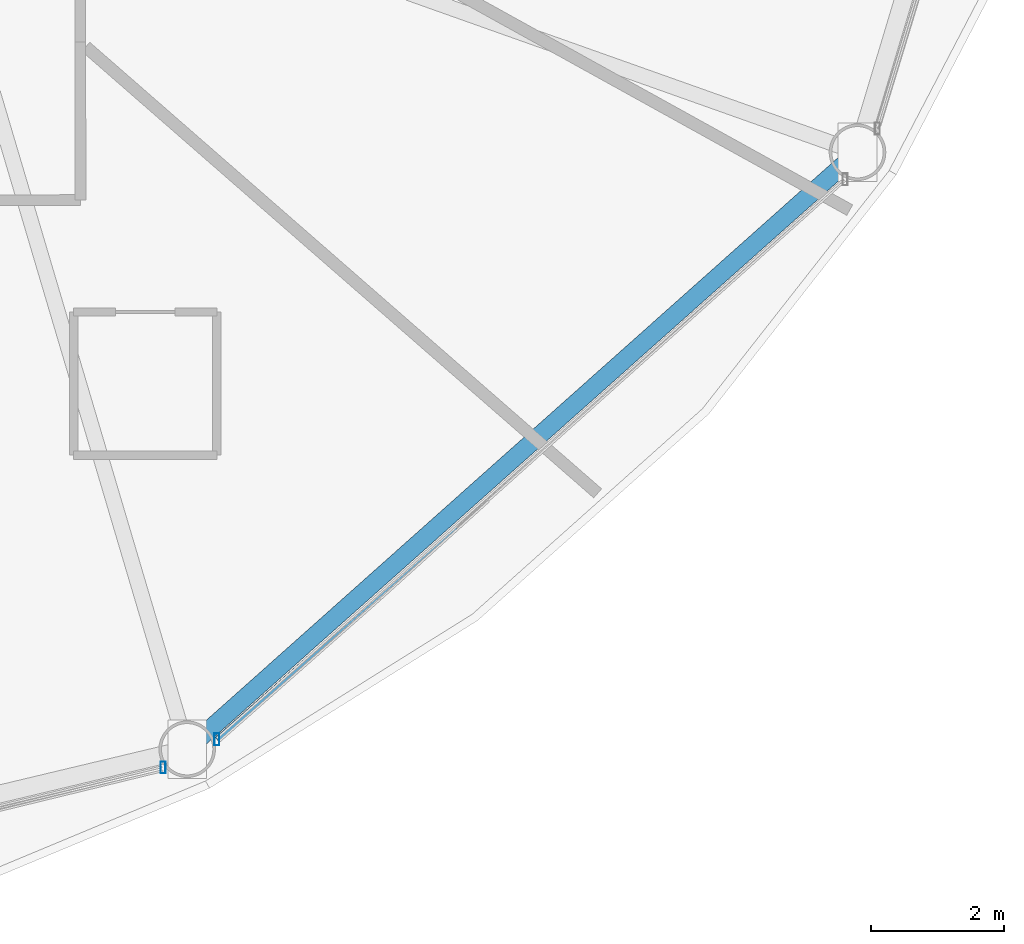
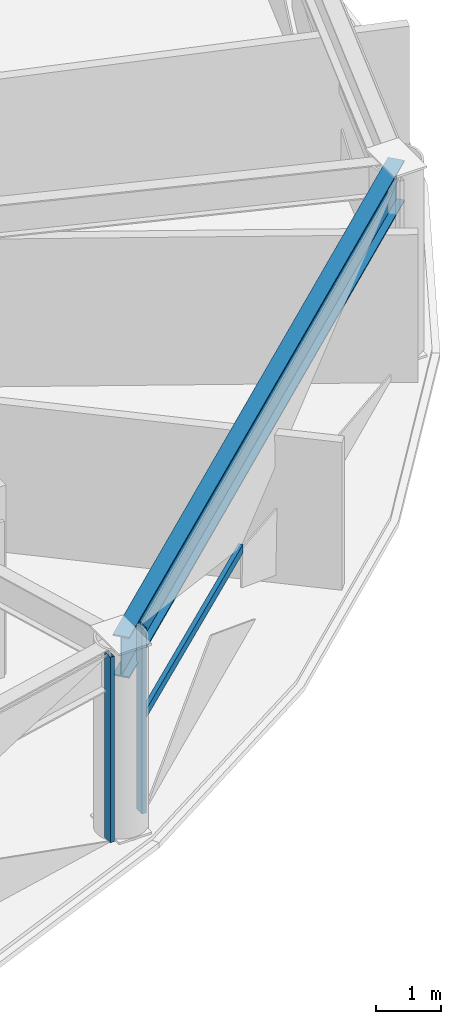
# One storey, part 8 of 30: 3 members, 1 beam, 2 elements without a shape of their own.
"""IFC4 building model written with IfcOpenShell, lengths in metres."""

import ifcopenshell
import ifcopenshell.guid

model = None  # the IFC model being written
_history = None  # IfcOwnerHistory: only IFC2X3 demands one
_inside = {}  # id of a spatial element -> (the spatial element, [elements in it])
_under = {}  # id of a project, library or spatial element -> (it, [spatial elements below it])
_declared = {}  # id of a project -> (the project, [libraries it declares])
_typed = {}  # id of a type object -> (the type object, [elements of that type])
_made_of = {}  # id of a material, layer set ... -> (it, [elements and type objects made of it])


def new_model(schema):
    """Start an empty IFC model of exactly this schema.

    Asked for "IFC4X3", IfcOpenShell would pick the latest addendum, in which some entities
    have other attributes; the version numbers below select the first issue.
    IFC2X3 requires an IfcOwnerHistory on every rooted entity: one is made here for all.
    """
    global model, _history
    if schema == "IFC4X3":
        model = ifcopenshell.file(schema_version=(4, 3, 0, 0))
    else:
        model = ifcopenshell.file(schema=schema)
    _inside.clear()
    _under.clear()
    _declared.clear()
    _typed.clear()
    _made_of.clear()
    _history = None
    if model.schema == "IFC2X3":
        org = make("IfcOrganization", Name="unknown")
        user = make(
            "IfcPersonAndOrganization",
            ThePerson=make("IfcPerson", FamilyName="unknown"),
            TheOrganization=org,
        )
        app = make(
            "IfcApplication",
            ApplicationDeveloper=org,
            Version="unknown",
            ApplicationFullName="unknown",
            ApplicationIdentifier="unknown",
        )
        _history = make(
            "IfcOwnerHistory",
            OwningUser=user,
            OwningApplication=app,
            ChangeAction="ADDED",
            CreationDate=0,
        )
    return model


def make(cls, **values):
    """One entity of the class cls with the attributes given. An attribute that is None is left unset."""
    return model.create_entity(
        cls, **{name: value for name, value in values.items() if value is not None}
    )


def rooted(cls, **values):
    """An entity with a GlobalId (a new one), such as an element, a storey or a relation."""
    return make(cls, GlobalId=ifcopenshell.guid.new(), OwnerHistory=_history, **values)


def si_unit(unit_type, name, prefix=None):
    """IfcSIUnit, for example si_unit("LENGTHUNIT", "METRE", prefix="MILLI")."""
    return make("IfcSIUnit", UnitType=unit_type, Prefix=prefix, Name=name)


def assignment(units):
    """IfcUnitAssignment: the units of a project."""
    return None if units is None else make("IfcUnitAssignment", Units=units)


def point(xyz):
    """IfcCartesianPoint."""
    return None if xyz is None else make("IfcCartesianPoint", Coordinates=xyz)


def direction(xyz):
    """IfcDirection."""
    return None if xyz is None else make("IfcDirection", DirectionRatios=xyz)


def frame(location, z_axis=None, x_axis=None):
    """IfcAxis2Placement3D, a coordinate frame: its origin and axes. An axis left out is left unset."""
    return make(
        "IfcAxis2Placement3D",
        Location=point(location),
        Axis=direction(z_axis),
        RefDirection=direction(x_axis),
    )


def frame_2d(location, x_axis=None):
    """IfcAxis2Placement2D, a coordinate frame in the plane: its origin and x axis."""
    return make(
        "IfcAxis2Placement2D", Location=point(location), RefDirection=direction(x_axis)
    )


def origin():
    """The frame at (0, 0, 0) with its axes left unset."""
    return frame((0.0, 0.0, 0.0))


def origin_2d():
    """The frame at (0, 0) in the plane with its x axis left unset."""
    return frame_2d((0.0, 0.0))


def place(relative_to, where):
    """IfcLocalPlacement: puts the frame where relative to a parent placement (None: the world)."""
    return make(
        "IfcLocalPlacement", PlacementRelTo=relative_to, RelativePlacement=where
    )


def context(
    kind, dimensions, precision=None, world=None, true_north=None, identifier=None
):
    """IfcGeometricRepresentationContext, for example the 3D "Model" context."""
    return make(
        "IfcGeometricRepresentationContext",
        ContextIdentifier=identifier,
        ContextType=kind,
        CoordinateSpaceDimension=dimensions,
        Precision=precision,
        WorldCoordinateSystem=world,
        TrueNorth=true_north,
    )


def subcontext(parent, identifier, kind, view, scale=None):
    """IfcGeometricRepresentationSubContext, for example "Body" below "Model"."""
    return make(
        "IfcGeometricRepresentationSubContext",
        ContextIdentifier=identifier,
        ContextType=kind,
        ParentContext=parent,
        TargetScale=scale,
        TargetView=view,
    )


def project(units=None, contexts=None):
    """IfcProject with its units and contexts."""
    return rooted(
        "IfcProject",
        Name="project",
        RepresentationContexts=contexts,
        UnitsInContext=assignment(units),
    )


def spatial(cls, under=None, at=None, **own):
    """A site, building, storey or space (cls), placed at a placement, below another one or the project."""
    s = rooted(cls, ObjectPlacement=at, **own)
    if under is not None:
        _under.setdefault(under.id(), (under, []))[1].append(s)
    return s


def profile(cls, at=None, kind="AREA", **sizes):
    """A parametric profile (cls). Its sizes go by their IFC names, for example OverallWidth=200.0."""
    return make(cls, ProfileType=kind, Position=at, **sizes)


def hollow_rectangle(**sizes):
    """IfcRectangleHollowProfileDef."""
    return profile("IfcRectangleHollowProfileDef", **sizes)


def i_section(**sizes):
    """IfcIShapeProfileDef."""
    return profile("IfcIShapeProfileDef", **sizes)


def extrude(swept, where, along, depth):
    """IfcExtrudedAreaSolid: the profile swept, set in the frame where, extruded along a direction by depth."""
    return make(
        "IfcExtrudedAreaSolid",
        SweptArea=swept,
        Position=where,
        ExtrudedDirection=direction(along),
        Depth=depth,
    )


def shape(context_of_items, identifier, shape_type, items):
    """IfcShapeRepresentation: the items that make up one representation, for example the "Body"."""
    return make(
        "IfcShapeRepresentation",
        ContextOfItems=context_of_items,
        RepresentationIdentifier=identifier,
        RepresentationType=shape_type,
        Items=items,
    )


def material(Name=None, Category=None):
    """IfcMaterial."""
    return make("IfcMaterial", Name=Name, Category=Category)


def layer(
    of_material, thickness, ventilated=None, Name=None, Category=None, Priority=None
):
    """IfcMaterialLayer: one layer of a wall or slab, of a material (None: an air gap)."""
    return make(
        "IfcMaterialLayer",
        Material=of_material,
        LayerThickness=thickness,
        IsVentilated=ventilated,
        Name=Name,
        Category=Category,
        Priority=Priority,
    )


def layer_set(layers, Name=None):
    """IfcMaterialLayerSet."""
    return make("IfcMaterialLayerSet", MaterialLayers=layers, LayerSetName=Name)


def material_profile(
    of_material, cross_section, Name=None, Category=None, Priority=None
):
    """IfcMaterialProfile: a cross section and its material."""
    return make(
        "IfcMaterialProfile",
        Name=Name,
        Material=of_material,
        Profile=cross_section,
        Priority=Priority,
        Category=Category,
    )


def profile_set(profiles, Name=None, composite=None):
    """IfcMaterialProfileSet."""
    return make(
        "IfcMaterialProfileSet",
        Name=Name,
        MaterialProfiles=profiles,
        CompositeProfile=composite,
    )


def made_of(thing, what):
    """Note that an element or type object is made of a material, layer set ...; save() writes the relation."""
    if what is not None:
        _made_of.setdefault(what.id(), (what, []))[1].append(thing)
    return thing


def type_object(cls, material=None, **own):
    """A type object (cls), such as IfcWallType, which elements share."""
    return made_of(rooted(cls, **own), material)


def element(
    cls,
    number,
    at=None,
    inside=None,
    cuts=None,
    type_object=None,
    material=None,
    context=None,
    identifier="Body",
    shape_type=None,
    held_by="IfcProductDefinitionShape",
    body=None,
    shapes=None,
    **own,
):
    """One element of the class cls, such as IfcWall. Its Tag is "e" and its number.

    at: its placement. inside: the storey or other place that contains it. cuts: it is an
    opening in that element (IfcRelVoidsElement). A single representation is given by context,
    identifier, shape_type and body (its items); several are given by shapes. held_by: the class
    of the entity that holds the representations. save() writes the other relations.
    """
    e = rooted(cls, Tag="e%d" % number, ObjectPlacement=at, **own)
    if body is not None:
        shapes = [shape(context, identifier, shape_type, body)]
    if shapes is not None:
        e.Representation = make(held_by, Representations=shapes)
    if inside is not None:
        _inside.setdefault(inside.id(), (inside, []))[1].append(e)
    if cuts is not None:
        rooted(
            "IfcRelVoidsElement", RelatingBuildingElement=cuts, RelatedOpeningElement=e
        )
    if type_object is not None:
        _typed.setdefault(type_object.id(), (type_object, []))[1].append(e)
    return made_of(e, material)


def aggregate(whole, parts):
    """IfcRelAggregates: a whole, such as a stair, and the parts it consists of."""
    return rooted("IfcRelAggregates", RelatingObject=whole, RelatedObjects=parts)


def save(model, path):
    """Write the relations noted so far, then the file.

    IfcRelAggregates (storeys below a building ...), IfcRelContainedInSpatialStructure (elements
    in a storey), IfcRelDefinesByType, IfcRelAssociatesMaterial and IfcRelDeclares: one each for
    every whole, place, type object, material and project.
    """
    for whole, parts in _under.values():
        aggregate(whole, parts)
    for where, things in _inside.values():
        rooted(
            "IfcRelContainedInSpatialStructure",
            RelatedElements=things,
            RelatingStructure=where,
        )
    for kind, things in _typed.values():
        rooted("IfcRelDefinesByType", RelatedObjects=things, RelatingType=kind)
    for what, things in _made_of.values():
        rooted("IfcRelAssociatesMaterial", RelatedObjects=things, RelatingMaterial=what)
    for by, libraries in _declared.values():
        rooted("IfcRelDeclares", RelatingContext=by, RelatedDefinitions=libraries)
    model.write(path)


model = new_model("IFC4")

# Units and contexts
model_context = context("Model", 3, precision=1e-05, world=origin(), true_north=direction((0.0, 1.0)))
body_context = subcontext(model_context, "Body", "Model", "MODEL_VIEW")
ifc_project = project(units=[si_unit("LENGTHUNIT", "METRE"), si_unit("AREAUNIT", "SQUARE_METRE"), si_unit("VOLUMEUNIT", "CUBIC_METRE"), si_unit("PLANEANGLEUNIT", "RADIAN"), si_unit("MASSUNIT", "GRAM", prefix="KILO")], contexts=[model_context])

# Site, building, storey
site_placement = place(None, origin())
site = spatial("IfcSite", under=ifc_project, at=site_placement, CompositionType="ELEMENT")
building_placement = place(site_placement, origin())
building = spatial("IfcBuilding", under=site, at=building_placement, Name="Vantalir Tower", CompositionType="ELEMENT")
storey_placement = place(building_placement, frame((0.0, 0.0, 83.25)))
storey = spatial("IfcBuildingStorey", under=building, at=storey_placement, Name="L20", CompositionType="ELEMENT", Elevation=83.25)

# Beam
ifc_material_1 = material(Name="Steel S460", Category="steel")
ifc_material_profile_1 = material_profile(ifc_material_1, i_section(OverallWidth=0.26806640625, OverallDepth=0.77001953125, WebThickness=0.015625, FlangeThickness=0.025390625, at=origin_2d()), Name="Steel S460")
ifc_profile_set_1 = profile_set([ifc_material_profile_1], Name="Steel S460")
beam_type = type_object("IfcBeamType", Name="BM-RG-762x267", PredefinedType="USERDEFINED", material=ifc_profile_set_1)
beam_placement = place(storey_placement, frame((45.25, 3.787109375, 3.18505859375), z_axis=(0.74676942142, 0.665083025819, 0.0), x_axis=(-0.665083025819, 0.74676942142, 0.0)))
element("IfcBeam", 1, at=beam_placement, inside=storey, type_object=beam_type, Name="L20 Circumferential Ring Girder 11", ObjectType="GIRDER", PredefinedType="USERDEFINED", context=body_context, shape_type="SweptSolid", body=[
    extrude(i_section(OverallWidth=0.26806640625, OverallDepth=0.77001953125, WebThickness=0.015625, FlangeThickness=0.025390625, at=origin_2d()), origin(), (0.0, 0.0, 1.0), 13.479248046875),
])

# Curtain wall, member
ifc_material_2 = material(Name="Champagne-silver PVDF aluminium and double-silver Low-E glass", Category="aluminium")
ifc_layer = layer(ifc_material_2, 0.18994140625)
ifc_layer_set = layer_set([ifc_layer], Name="Champagne-silver PVDF aluminium and double-silver Low-E glass")
curtain_wall_type = type_object("IfcCurtainWallType", Name="CW-DIAMOND-Z1", PredefinedType="USERDEFINED", material=ifc_layer_set)
curtain_wall_1_placement = place(storey_placement, origin())
curtain_wall_1 = element("IfcCurtainWall", 2, at=curtain_wall_1_placement, inside=storey, type_object=curtain_wall_type, Name="L20 Quilted Pyramid-Diamond Curtain Wall S10", ObjectType="UNITISED CURTAIN WALL", PredefinedType="USERDEFINED")
ifc_material_3 = material(Name="Champagne-silver PVDF aluminium 6063-T6", Category="aluminium")
ifc_material_profile_2 = material_profile(ifc_material_3, hollow_rectangle(XDim=0.074951171875, YDim=0.179931640625, WallThickness=0.00390625, at=origin_2d()), Name="Champagne-silver PVDF aluminium 6063-T6")
ifc_profile_set_2 = profile_set([ifc_material_profile_2], Name="Champagne-silver PVDF aluminium 6063-T6")
member_type_1 = type_object("IfcMemberType", Name="CWM-180x75", PredefinedType="MULLION", material=ifc_profile_set_2)
member_1_placement = place(storey_placement, frame((44.887939453125, 3.512939453125, 0.044921875), z_axis=(0.0, 0.0, 1.0), x_axis=(1.0, 0.0, 0.0)))
member_1 = element("IfcMember", 3, at=member_1_placement, type_object=member_type_1, Name="CW-L20-S10 Mullion 2", PredefinedType="MULLION", context=body_context, shape_type="SweptSolid", body=[
    extrude(hollow_rectangle(XDim=0.074951171875, YDim=0.179931640625, WallThickness=0.00390625, at=origin_2d()), origin(), (0.0, 0.0, 1.0), 3.47998046875),
])
aggregate(curtain_wall_1, [member_1])

# Curtain wall, members
curtain_wall_2_placement = place(storey_placement, origin())
curtain_wall_2 = element("IfcCurtainWall", 4, at=curtain_wall_2_placement, inside=storey, type_object=curtain_wall_type, Name="L20 Quilted Pyramid-Diamond Curtain Wall S11", ObjectType="UNITISED CURTAIN WALL", PredefinedType="USERDEFINED")
member_2_placement = place(storey_placement, frame((45.696044921875, 3.93505859375, 0.044921875), z_axis=(0.0, 0.0, 1.0), x_axis=(1.0, 0.0, 0.0)))
member_2 = element("IfcMember", 5, at=member_2_placement, type_object=member_type_1, Name="CW-L20-S11 Mullion 1", PredefinedType="MULLION", context=body_context, shape_type="SweptSolid", body=[
    extrude(hollow_rectangle(XDim=0.074951171875, YDim=0.179931640625, WallThickness=0.00390625, at=origin_2d()), origin(), (0.0, 0.0, 1.0), 3.47998046875),
])
ifc_material_profile_3 = material_profile(ifc_material_3, hollow_rectangle(XDim=0.074951171875, YDim=0.159912109375, WallThickness=0.00390625, at=origin_2d()), Name="Champagne-silver PVDF aluminium 6063-T6")
ifc_profile_set_3 = profile_set([ifc_material_profile_3], Name="Champagne-silver PVDF aluminium 6063-T6")
member_type_2 = type_object("IfcMemberType", Name="CWT-160x75", PredefinedType="USERDEFINED", material=ifc_profile_set_3)
member_3_placement = place(storey_placement, frame((45.696044921875, 3.93505859375, 1.784912109375), z_axis=(0.74977999834, 0.661687202603, 0.0), x_axis=(-0.661687202603, 0.74977999834, 0.0)))
member_3 = element("IfcMember", 6, at=member_3_placement, type_object=member_type_2, Name="CW-L20-S11 Pyramid Fold Ridge Transom", ObjectType="TRANSOM", PredefinedType="USERDEFINED", context=body_context, shape_type="SweptSolid", body=[
    extrude(hollow_rectangle(XDim=0.074951171875, YDim=0.159912109375, WallThickness=0.00390625, at=origin_2d()), origin(), (0.0, 0.0, 1.0), 4.802734375),
])
aggregate(curtain_wall_2, [member_2, member_3])

save(model, "model.ifc")
